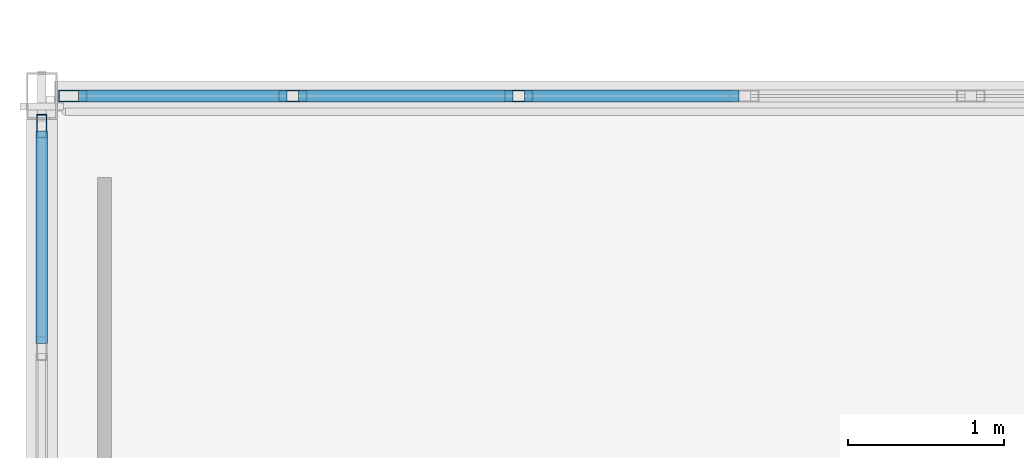
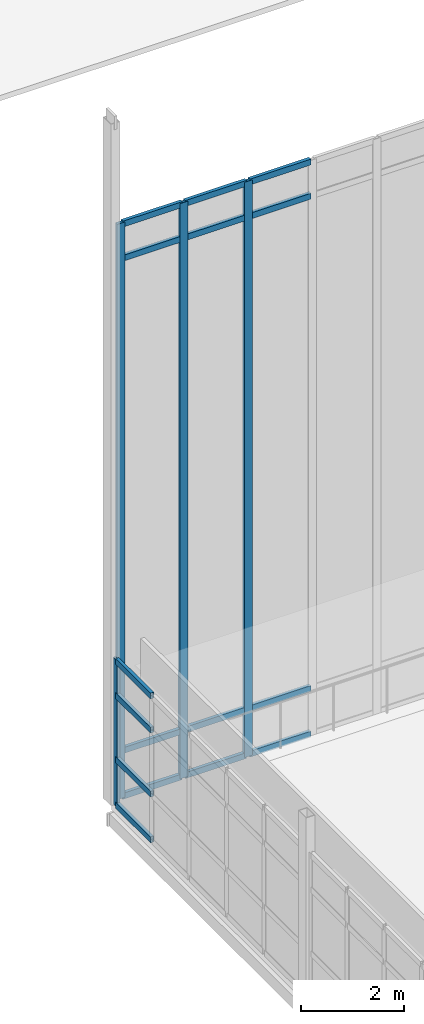
# One storey, part 42 of 166: 20 members, 2 elements without a shape of their own.
"""IFC4 building model written with IfcOpenShell, lengths in metres."""

from ifc_helpers import new_model, si_unit, direction, frame, origin, origin_2d, place, context, subcontext, project, spatial, hollow_rectangle, extrude, material, material_profile, profile_set, type_object, element, aggregate, save


model = new_model("IFC4")

# Units and contexts
model_context = context("Model", 3, precision=1e-05, world=origin(), true_north=direction((0.0, 1.0)))
body_context = subcontext(model_context, "Body", "Model", "MODEL_VIEW")
ifc_project = project(units=[si_unit("LENGTHUNIT", "METRE"), si_unit("AREAUNIT", "SQUARE_METRE"), si_unit("VOLUMEUNIT", "CUBIC_METRE"), si_unit("PLANEANGLEUNIT", "RADIAN"), si_unit("MASSUNIT", "GRAM", prefix="KILO")], contexts=[model_context])

# Site, building, storey
site_placement = place(None, origin())
site = spatial("IfcSite", under=ifc_project, at=site_placement, CompositionType="ELEMENT")
building_placement = place(site_placement, origin())
building = spatial("IfcBuilding", under=site, at=building_placement, Name="Caisbarro Railhouse Central Library", CompositionType="ELEMENT")
storey_placement = place(building_placement, frame((0.0, 0.0, 9.360107421875)))
storey = spatial("IfcBuildingStorey", under=building, at=storey_placement, Name="L02", CompositionType="ELEMENT", Elevation=9.360107421875)

# Curtain wall, members
ifc_material = material(Name="Anodised architectural aluminium", Category="aluminium")
curtain_wall_type_1 = type_object("IfcCurtainWallType", Name="CW-CW05", PredefinedType="NOTDEFINED", material=ifc_material)
curtain_wall_1_placement = place(storey_placement, origin())
curtain_wall_1 = element("IfcCurtainWall", 1, at=curtain_wall_1_placement, inside=storey, type_object=curtain_wall_type_1, Name="CW05 curtain wall L02 #3", PredefinedType="NOTDEFINED")
ifc_material_profile_1 = material_profile(ifc_material, hollow_rectangle(XDim=0.074951171875, YDim=0.179931640625, WallThickness=0.00439453125, at=origin_2d()), Name="ALU-MUL-75X180")
ifc_profile_set_1 = profile_set([ifc_material_profile_1], Name="Anodised architectural aluminium")
member_type_1 = type_object("IfcMemberType", Name="CWM-M01", PredefinedType="MULLION", material=ifc_profile_set_1)
member_1_placement = place(storey_placement, frame((0.197509765625, 60.800048828125, 0.0), z_axis=(0.0, 0.0, 1.0), x_axis=(0.0, 1.0, 0.0)))
member_1 = element("IfcMember", 2, at=member_1_placement, type_object=member_type_1, Name="CW05 mullion 1", PredefinedType="MULLION", context=body_context, shape_type="SweptSolid", body=[
    extrude(hollow_rectangle(XDim=0.074951171875, YDim=0.179931640625, WallThickness=0.00439453125, at=origin_2d()), origin(), (0.0, 0.0, 1.0), 13.669921875),
])
member_2_placement = place(storey_placement, frame((1.606689453125, 60.800048828125, 0.0), z_axis=(0.0, 0.0, 1.0), x_axis=(0.0, 1.0, 0.0)))
member_2 = element("IfcMember", 3, at=member_2_placement, type_object=member_type_1, Name="CW05 mullion 2", PredefinedType="MULLION", context=body_context, shape_type="SweptSolid", body=[
    extrude(hollow_rectangle(XDim=0.074951171875, YDim=0.179931640625, WallThickness=0.00439453125, at=origin_2d()), origin(), (0.0, 0.0, 1.0), 13.669921875),
])
member_3_placement = place(storey_placement, frame((3.05322265625, 60.800048828125, 0.0), z_axis=(0.0, 0.0, 1.0), x_axis=(0.0, 1.0, 0.0)))
member_3 = element("IfcMember", 4, at=member_3_placement, type_object=member_type_1, Name="CW05 mullion 3", PredefinedType="MULLION", context=body_context, shape_type="SweptSolid", body=[
    extrude(hollow_rectangle(XDim=0.074951171875, YDim=0.179931640625, WallThickness=0.00439453125, at=origin_2d()), origin(), (0.0, 0.0, 1.0), 13.669921875),
])

# Curtain wall, member
curtain_wall_type_2 = type_object("IfcCurtainWallType", Name="CW-CW02", PredefinedType="NOTDEFINED", material=ifc_material)
curtain_wall_2_placement = place(storey_placement, origin())
curtain_wall_2 = element("IfcCurtainWall", 5, at=curtain_wall_2_placement, inside=storey, type_object=curtain_wall_type_2, Name="CW02 curtain wall L02 #39", PredefinedType="NOTDEFINED")
ifc_material_profile_2 = material_profile(ifc_material, hollow_rectangle(XDim=0.06494140625, YDim=0.14990234375, WallThickness=0.00390625, at=origin_2d()), Name="ALU-MUL-65X150")
ifc_profile_set_2 = profile_set([ifc_material_profile_2], Name="Anodised architectural aluminium")
member_type_2 = type_object("IfcMemberType", Name="CWM-M02", PredefinedType="MULLION", material=ifc_profile_set_2)
member_4_placement = place(storey_placement, frame((0.0, 60.607421875, 0.0), z_axis=(0.0, 0.0, 1.0), x_axis=(-1.0, 0.0, 0.0)))
member_4 = element("IfcMember", 6, at=member_4_placement, type_object=member_type_2, Name="CW02 mullion 6", PredefinedType="MULLION", context=body_context, shape_type="SweptSolid", body=[
    extrude(hollow_rectangle(XDim=0.06494140625, YDim=0.14990234375, WallThickness=0.00390625, at=origin_2d()), origin(), (0.0, 0.0, 1.0), 3.489990234375),
])

# Member
ifc_material_profile_3 = material_profile(ifc_material, hollow_rectangle(XDim=0.074951171875, YDim=0.139892578125, WallThickness=0.00390625, at=origin_2d()), Name="ALU-TRN-75X140")
ifc_profile_set_3 = profile_set([ifc_material_profile_3], Name="Anodised architectural aluminium")
member_type_3 = type_object("IfcMemberType", Name="CWT-T01", PredefinedType="USERDEFINED", material=ifc_profile_set_3)
member_5_placement = place(storey_placement, frame((0.235107421875, 60.800048828125, 0.037353515625), z_axis=(1.0, 0.0, 0.0), x_axis=(0.0, 1.0, 0.0)))
member_5 = element("IfcMember", 7, at=member_5_placement, type_object=member_type_3, Name="CW05 transom 1.1", ObjectType="TRANSOM", PredefinedType="USERDEFINED", context=body_context, shape_type="SweptSolid", body=[
    extrude(hollow_rectangle(XDim=0.074951171875, YDim=0.139892578125, WallThickness=0.00390625, at=origin_2d()), origin(), (0.0, 0.0, 1.0), 1.333984375),
])

member_6_placement = place(storey_placement, frame((0.235107421875, 60.800048828125, 1.119873046875), z_axis=(1.0, 0.0, 0.0), x_axis=(0.0, 1.0, 0.0)))
member_6 = element("IfcMember", 8, at=member_6_placement, type_object=member_type_3, Name="CW05 transom 1.2", ObjectType="TRANSOM", PredefinedType="USERDEFINED", context=body_context, shape_type="SweptSolid", body=[
    extrude(hollow_rectangle(XDim=0.074951171875, YDim=0.139892578125, WallThickness=0.00390625, at=origin_2d()), origin(), (0.0, 0.0, 1.0), 1.333984375),
])

member_7_placement = place(storey_placement, frame((0.235107421875, 60.800048828125, 12.81982421875), z_axis=(1.0, 0.0, 0.0), x_axis=(0.0, 1.0, 0.0)))
member_7 = element("IfcMember", 9, at=member_7_placement, type_object=member_type_3, Name="CW05 transom 1.3", ObjectType="TRANSOM", PredefinedType="USERDEFINED", context=body_context, shape_type="SweptSolid", body=[
    extrude(hollow_rectangle(XDim=0.074951171875, YDim=0.139892578125, WallThickness=0.00390625, at=origin_2d()), origin(), (0.0, 0.0, 1.0), 1.333984375),
])

member_8_placement = place(storey_placement, frame((0.235107421875, 60.800048828125, 13.63232421875), z_axis=(1.0, 0.0, 0.0), x_axis=(0.0, 1.0, 0.0)))
member_8 = element("IfcMember", 10, at=member_8_placement, type_object=member_type_3, Name="CW05 transom 1.4", ObjectType="TRANSOM", PredefinedType="USERDEFINED", context=body_context, shape_type="SweptSolid", body=[
    extrude(hollow_rectangle(XDim=0.074951171875, YDim=0.139892578125, WallThickness=0.00390625, at=origin_2d()), origin(), (0.0, 0.0, 1.0), 1.333984375),
])

member_9_placement = place(storey_placement, frame((1.644287109375, 60.800048828125, 0.037353515625), z_axis=(1.0, 0.0, 0.0), x_axis=(0.0, 1.0, 0.0)))
member_9 = element("IfcMember", 11, at=member_9_placement, type_object=member_type_3, Name="CW05 transom 2.1", ObjectType="TRANSOM", PredefinedType="USERDEFINED", context=body_context, shape_type="SweptSolid", body=[
    extrude(hollow_rectangle(XDim=0.074951171875, YDim=0.139892578125, WallThickness=0.00390625, at=origin_2d()), origin(), (0.0, 0.0, 1.0), 1.37158203125),
])

member_10_placement = place(storey_placement, frame((1.644287109375, 60.800048828125, 1.119873046875), z_axis=(1.0, 0.0, 0.0), x_axis=(0.0, 1.0, 0.0)))
member_10 = element("IfcMember", 12, at=member_10_placement, type_object=member_type_3, Name="CW05 transom 2.2", ObjectType="TRANSOM", PredefinedType="USERDEFINED", context=body_context, shape_type="SweptSolid", body=[
    extrude(hollow_rectangle(XDim=0.074951171875, YDim=0.139892578125, WallThickness=0.00390625, at=origin_2d()), origin(), (0.0, 0.0, 1.0), 1.37158203125),
])

member_11_placement = place(storey_placement, frame((1.644287109375, 60.800048828125, 12.81982421875), z_axis=(1.0, 0.0, 0.0), x_axis=(0.0, 1.0, 0.0)))
member_11 = element("IfcMember", 13, at=member_11_placement, type_object=member_type_3, Name="CW05 transom 2.3", ObjectType="TRANSOM", PredefinedType="USERDEFINED", context=body_context, shape_type="SweptSolid", body=[
    extrude(hollow_rectangle(XDim=0.074951171875, YDim=0.139892578125, WallThickness=0.00390625, at=origin_2d()), origin(), (0.0, 0.0, 1.0), 1.37158203125),
])

member_12_placement = place(storey_placement, frame((1.644287109375, 60.800048828125, 13.63232421875), z_axis=(1.0, 0.0, 0.0), x_axis=(0.0, 1.0, 0.0)))
member_12 = element("IfcMember", 14, at=member_12_placement, type_object=member_type_3, Name="CW05 transom 2.4", ObjectType="TRANSOM", PredefinedType="USERDEFINED", context=body_context, shape_type="SweptSolid", body=[
    extrude(hollow_rectangle(XDim=0.074951171875, YDim=0.139892578125, WallThickness=0.00390625, at=origin_2d()), origin(), (0.0, 0.0, 1.0), 1.37158203125),
])

member_13_placement = place(storey_placement, frame((3.0908203125, 60.800048828125, 0.037353515625), z_axis=(1.0, 0.0, 0.0), x_axis=(0.0, 1.0, 0.0)))
member_13 = element("IfcMember", 15, at=member_13_placement, type_object=member_type_3, Name="CW05 transom 3.1", ObjectType="TRANSOM", PredefinedType="USERDEFINED", context=body_context, shape_type="SweptSolid", body=[
    extrude(hollow_rectangle(XDim=0.074951171875, YDim=0.139892578125, WallThickness=0.00390625, at=origin_2d()), origin(), (0.0, 0.0, 1.0), 1.37158203125),
])

member_14_placement = place(storey_placement, frame((3.0908203125, 60.800048828125, 1.119873046875), z_axis=(1.0, 0.0, 0.0), x_axis=(0.0, 1.0, 0.0)))
member_14 = element("IfcMember", 16, at=member_14_placement, type_object=member_type_3, Name="CW05 transom 3.2", ObjectType="TRANSOM", PredefinedType="USERDEFINED", context=body_context, shape_type="SweptSolid", body=[
    extrude(hollow_rectangle(XDim=0.074951171875, YDim=0.139892578125, WallThickness=0.00390625, at=origin_2d()), origin(), (0.0, 0.0, 1.0), 1.37158203125),
])

member_15_placement = place(storey_placement, frame((3.0908203125, 60.800048828125, 12.81982421875), z_axis=(1.0, 0.0, 0.0), x_axis=(0.0, 1.0, 0.0)))
member_15 = element("IfcMember", 17, at=member_15_placement, type_object=member_type_3, Name="CW05 transom 3.3", ObjectType="TRANSOM", PredefinedType="USERDEFINED", context=body_context, shape_type="SweptSolid", body=[
    extrude(hollow_rectangle(XDim=0.074951171875, YDim=0.139892578125, WallThickness=0.00390625, at=origin_2d()), origin(), (0.0, 0.0, 1.0), 1.37158203125),
])

member_16_placement = place(storey_placement, frame((3.0908203125, 60.800048828125, 13.63232421875), z_axis=(1.0, 0.0, 0.0), x_axis=(0.0, 1.0, 0.0)))
member_16 = element("IfcMember", 18, at=member_16_placement, type_object=member_type_3, Name="CW05 transom 3.4", ObjectType="TRANSOM", PredefinedType="USERDEFINED", context=body_context, shape_type="SweptSolid", body=[
    extrude(hollow_rectangle(XDim=0.074951171875, YDim=0.139892578125, WallThickness=0.00390625, at=origin_2d()), origin(), (0.0, 0.0, 1.0), 1.37158203125),
])

aggregate(curtain_wall_1, [member_1, member_2, member_3, member_5, member_6, member_7, member_8, member_9, member_10, member_11, member_12, member_13, member_14, member_15, member_16])

member_17_placement = place(storey_placement, frame((0.0, 59.216552734375, 0.037353515625), z_axis=(0.0, 1.0, 0.0), x_axis=(-1.0, 0.0, 0.0)))
member_17 = element("IfcMember", 19, at=member_17_placement, type_object=member_type_3, Name="CW02 transom 5.1", ObjectType="TRANSOM", PredefinedType="USERDEFINED", context=body_context, shape_type="SweptSolid", body=[
    extrude(hollow_rectangle(XDim=0.074951171875, YDim=0.139892578125, WallThickness=0.00390625, at=origin_2d()), origin(), (0.0, 0.0, 1.0), 1.3583984375),
])

member_18_placement = place(storey_placement, frame((0.0, 59.216552734375, 1.119873046875), z_axis=(0.0, 1.0, 0.0), x_axis=(-1.0, 0.0, 0.0)))
member_18 = element("IfcMember", 20, at=member_18_placement, type_object=member_type_3, Name="CW02 transom 5.2", ObjectType="TRANSOM", PredefinedType="USERDEFINED", context=body_context, shape_type="SweptSolid", body=[
    extrude(hollow_rectangle(XDim=0.074951171875, YDim=0.139892578125, WallThickness=0.00390625, at=origin_2d()), origin(), (0.0, 0.0, 1.0), 1.3583984375),
])

member_19_placement = place(storey_placement, frame((0.0, 59.216552734375, 2.639892578125), z_axis=(0.0, 1.0, 0.0), x_axis=(-1.0, 0.0, 0.0)))
member_19 = element("IfcMember", 21, at=member_19_placement, type_object=member_type_3, Name="CW02 transom 5.3", ObjectType="TRANSOM", PredefinedType="USERDEFINED", context=body_context, shape_type="SweptSolid", body=[
    extrude(hollow_rectangle(XDim=0.074951171875, YDim=0.139892578125, WallThickness=0.00390625, at=origin_2d()), origin(), (0.0, 0.0, 1.0), 1.3583984375),
])

member_20_placement = place(storey_placement, frame((0.0, 59.216552734375, 3.452392578125), z_axis=(0.0, 1.0, 0.0), x_axis=(-1.0, 0.0, 0.0)))
member_20 = element("IfcMember", 22, at=member_20_placement, type_object=member_type_3, Name="CW02 transom 5.4", ObjectType="TRANSOM", PredefinedType="USERDEFINED", context=body_context, shape_type="SweptSolid", body=[
    extrude(hollow_rectangle(XDim=0.074951171875, YDim=0.139892578125, WallThickness=0.00390625, at=origin_2d()), origin(), (0.0, 0.0, 1.0), 1.3583984375),
])

aggregate(curtain_wall_2, [member_4, member_17, member_18, member_19, member_20])

save(model, "model.ifc")
